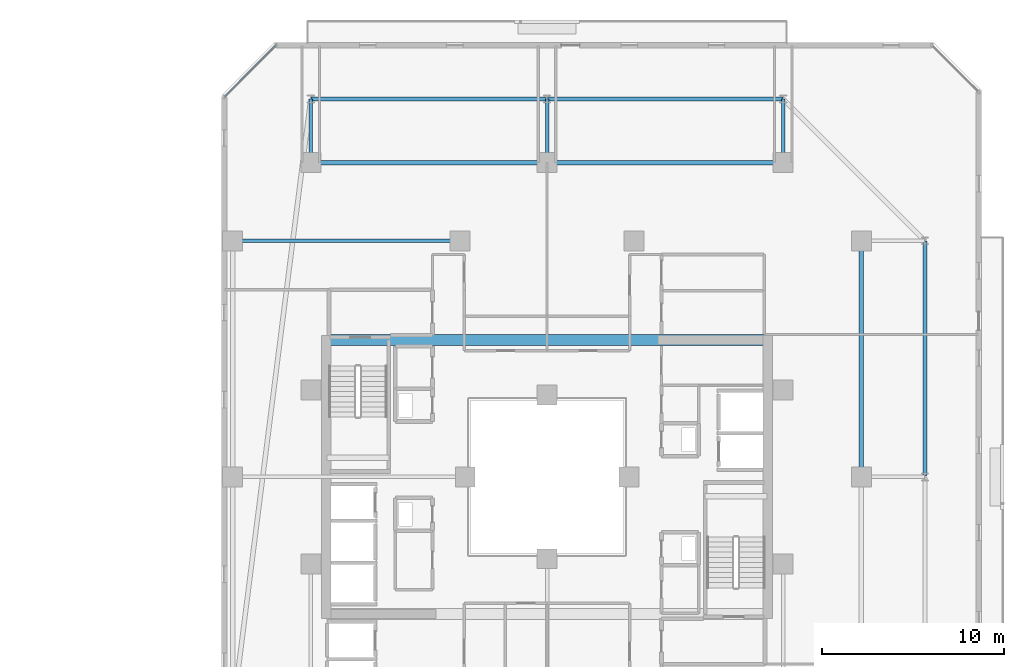
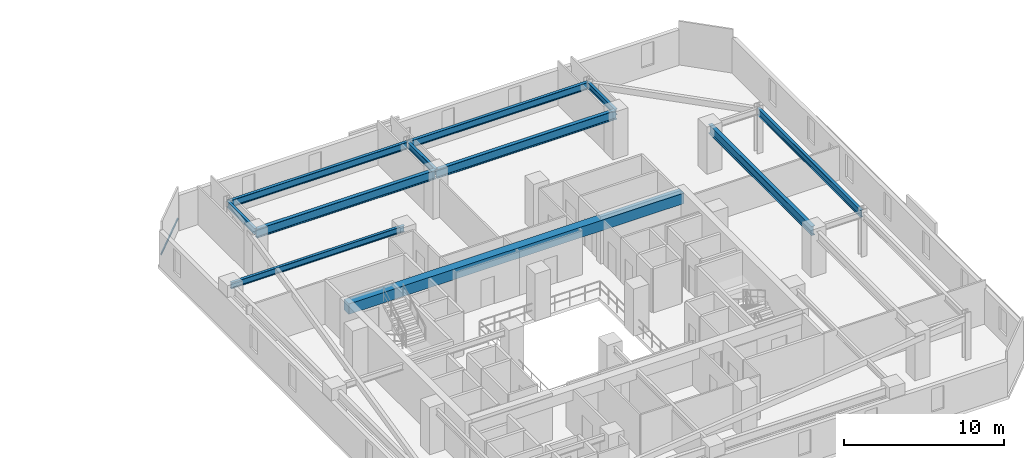
# One storey, part 15 of 33: 11 beams, 1 member, 1 element without a shape of its own.
"""IFC4 building model written with IfcOpenShell, lengths in metres."""

from ifc_helpers import new_model, si_unit, direction, frame, origin, origin_2d, place, context, subcontext, project, spatial, rectangle, hollow_rectangle, i_section, extrude, material, material_profile, profile_set, type_object, element, aggregate, save


model = new_model("IFC4")

# Units and contexts
model_context = context("Model", 3, precision=1e-05, world=origin(), true_north=direction((0.0, 1.0)))
body_context = subcontext(model_context, "Body", "Model", "MODEL_VIEW")
ifc_project = project(units=[si_unit("LENGTHUNIT", "METRE"), si_unit("AREAUNIT", "SQUARE_METRE"), si_unit("VOLUMEUNIT", "CUBIC_METRE"), si_unit("PLANEANGLEUNIT", "RADIAN"), si_unit("MASSUNIT", "GRAM", prefix="KILO")], contexts=[model_context])

# Site, building, storey
site_placement = place(None, origin())
site = spatial("IfcSite", under=ifc_project, at=site_placement, CompositionType="ELEMENT")
building_placement = place(site_placement, origin())
building = spatial("IfcBuilding", under=site, at=building_placement, Name="Thornwick Lancets Civic Towers", CompositionType="ELEMENT")
storey_placement = place(building_placement, frame((0.0, 0.0, 167.10009765625)))
storey = spatial("IfcBuildingStorey", under=building, at=storey_placement, Name="L44", CompositionType="ELEMENT", Elevation=167.10009765625)

# Beams
ifc_material_1 = material(Name="Concrete C60/75", Category="concrete")
ifc_material_profile_1 = material_profile(ifc_material_1, rectangle(XDim=0.60009765625, YDim=0.800048828125, at=origin_2d()), Name="RC 600x800")
ifc_profile_set_1 = profile_set([ifc_material_profile_1], Name="Concrete C60/75")
beam_type_1 = type_object("IfcBeamType", Name="BM_COUP_RC800", PredefinedType="BEAM", material=ifc_profile_set_1)
beam_1_placement = place(storey_placement, frame((76.39990234375, 34.550048828125, 2.9599609375), z_axis=(1.0, 0.0, 0.0), x_axis=(0.0, 1.0, 0.0)))
element("IfcBeam", 1, at=beam_1_placement, inside=storey, type_object=beam_type_1, Name="CB-L44-B1", PredefinedType="BEAM", context=body_context, shape_type="SweptSolid", body=[
    extrude(rectangle(XDim=0.60009765625, YDim=0.800048828125, at=origin_2d()), origin(), (0.0, 0.0, 1.0), 24.2001953125),
])
ifc_material_2 = material(Name="Steel S355JR", Category="steel")
ifc_material_profile_2 = material_profile(ifc_material_2, i_section(OverallWidth=0.210693359375, OverallDepth=0.53955078125, WebThickness=0.01171875, FlangeThickness=0.018798828125, FilletRadius=0.0126953125, at=origin_2d()), Name="UKB 533x210x109")
ifc_profile_set_2 = profile_set([ifc_material_profile_2], Name="Steel S355JR")
beam_type_2 = type_object("IfcBeamType", Name="BM_EDGE_533_109", PredefinedType="SPANDREL", material=ifc_profile_set_2)
beam_2_placement = place(storey_placement, frame((109.300048828125, 27.080078125, 3.090087890625), z_axis=(0.0, 1.0, 0.0), x_axis=(-1.0, 0.0, 0.0)))
element("IfcBeam", 2, at=beam_2_placement, inside=storey, type_object=beam_type_2, Name="BM-EDGE-L44-B-S0-2", PredefinedType="SPANDREL", context=body_context, shape_type="SweptSolid", body=[
    extrude(i_section(OverallWidth=0.210693359375, OverallDepth=0.53955078125, WebThickness=0.01171875, FlangeThickness=0.018798828125, FilletRadius=0.0126953125, at=origin_2d()), origin(), (0.0, 0.0, 1.0), 12.919921875),
])
beam_3_placement = place(storey_placement, frame((101.5, 47.800048828125, 3.090087890625), z_axis=(-1.0, 0.0, 0.0), x_axis=(0.0, -1.0, 0.0)))
element("IfcBeam", 3, at=beam_3_placement, inside=storey, type_object=beam_type_2, Name="BM-EDGE-L44-B-S1-1", PredefinedType="SPANDREL", context=body_context, shape_type="SweptSolid", body=[
    extrude(i_section(OverallWidth=0.210693359375, OverallDepth=0.53955078125, WebThickness=0.01171875, FlangeThickness=0.018798828125, FilletRadius=0.0126953125, at=origin_2d()), origin(), (0.0, 0.0, 1.0), 13.0),
])
beam_4_placement = place(storey_placement, frame((88.419921875, 47.800048828125, 3.090087890625), z_axis=(-1.0, 0.0, 0.0), x_axis=(0.0, -1.0, 0.0)))
element("IfcBeam", 4, at=beam_4_placement, inside=storey, type_object=beam_type_2, Name="BM-EDGE-L44-B-S1-2", PredefinedType="SPANDREL", context=body_context, shape_type="SweptSolid", body=[
    extrude(i_section(OverallWidth=0.210693359375, OverallDepth=0.53955078125, WebThickness=0.01171875, FlangeThickness=0.018798828125, FilletRadius=0.0126953125, at=origin_2d()), origin(), (0.0, 0.0, 1.0), 12.919921875),
])
ifc_material_profile_3 = material_profile(ifc_material_2, i_section(OverallWidth=0.255859375, OverallDepth=0.69287109375, WebThickness=0.014404296875, FlangeThickness=0.023681640625, FilletRadius=0.01513671875, at=origin_2d()), Name="UKB 686x254x170")
ifc_profile_set_3 = profile_set([ifc_material_profile_3], Name="Steel S355JR")
beam_type_3 = type_object("IfcBeamType", Name="BM_GIRD_686_170", PredefinedType="BEAM", material=ifc_profile_set_3)
beam_5_placement = place(storey_placement, frame((105.800048828125, 27.080078125, 3.013427734375), z_axis=(0.0, 1.0, 0.0), x_axis=(-1.0, 0.0, 0.0)))
element("IfcBeam", 5, at=beam_5_placement, inside=storey, type_object=beam_type_3, Name="BM-SPINE-L44-B-1-2", PredefinedType="BEAM", context=body_context, shape_type="SweptSolid", body=[
    extrude(i_section(OverallWidth=0.255859375, OverallDepth=0.69287109375, WebThickness=0.014404296875, FlangeThickness=0.023681640625, FilletRadius=0.01513671875, at=origin_2d()), origin(), (0.0, 0.0, 1.0), 12.919921875),
])
beam_6_placement = place(storey_placement, frame((101.5, 44.300048828125, 3.013427734375), z_axis=(-1.0, 0.0, 0.0), x_axis=(0.0, -1.0, 0.0)))
element("IfcBeam", 6, at=beam_6_placement, inside=storey, type_object=beam_type_3, Name="BM-SPINE-L44-B-3-4", PredefinedType="BEAM", context=body_context, shape_type="SweptSolid", body=[
    extrude(i_section(OverallWidth=0.255859375, OverallDepth=0.69287109375, WebThickness=0.014404296875, FlangeThickness=0.023681640625, FilletRadius=0.01513671875, at=origin_2d()), origin(), (0.0, 0.0, 1.0), 13.0),
])
beam_7_placement = place(storey_placement, frame((88.419921875, 44.300048828125, 3.013427734375), z_axis=(-1.0, 0.0, 0.0), x_axis=(0.0, -1.0, 0.0)))
element("IfcBeam", 7, at=beam_7_placement, inside=storey, type_object=beam_type_3, Name="BM-SPINE-L44-B-4-5", PredefinedType="BEAM", context=body_context, shape_type="SweptSolid", body=[
    extrude(i_section(OverallWidth=0.255859375, OverallDepth=0.69287109375, WebThickness=0.014404296875, FlangeThickness=0.023681640625, FilletRadius=0.01513671875, at=origin_2d()), origin(), (0.0, 0.0, 1.0), 12.919921875),
])
ifc_material_profile_4 = material_profile(ifc_material_2, i_section(OverallWidth=0.19189453125, OverallDepth=0.46337890625, WebThickness=0.010498046875, FlangeThickness=0.017578125, FilletRadius=0.01025390625, at=origin_2d()), Name="UKB 457x191x89")
ifc_profile_set_4 = profile_set([ifc_material_profile_4], Name="Steel S355JR")
beam_type_4 = type_object("IfcBeamType", Name="BM_JOIST_457_89", PredefinedType="JOIST", material=ifc_profile_set_4)
for number, where, z_axis, x_axis, name in (
    (8, (101.5, 44.300048828125, 3.128173828125), (0.0, 1.0, 0.0), (-1.0, 0.0, 0.0), "BM-RAD-L44-B04"),
    (9, (88.5, 44.300048828125, 3.128173828125), (0.0, 1.0, 0.0), (-1.0, 0.0, 0.0), "BM-RAD-L44-B05"),
    (10, (75.5, 44.300048828125, 3.128173828125), (0.0, 1.0, 0.0), (-1.0, 0.0, 0.0), "BM-RAD-L44-B06"),
):
    element("IfcBeam", number, at=place(storey_placement, frame(where, z_axis=z_axis, x_axis=x_axis)), inside=storey, type_object=beam_type_4, Name=name, PredefinedType="JOIST", context=body_context, shape_type="SweptSolid", body=[
        extrude(i_section(OverallWidth=0.19189453125, OverallDepth=0.46337890625, WebThickness=0.010498046875, FlangeThickness=0.017578125, FilletRadius=0.01025390625, at=origin_2d()), origin(), (0.0, 0.0, 1.0), 3.5),
    ])
beam_8_placement = place(storey_placement, frame((83.699951171875, 40.0, 3.128173828125), z_axis=(-1.0, 0.0, 0.0), x_axis=(0.0, -1.0, 0.0)))
element("IfcBeam", 11, at=beam_8_placement, inside=storey, type_object=beam_type_4, Name="BM-RADIN-L44-B09", PredefinedType="JOIST", context=body_context, shape_type="SweptSolid", body=[
    extrude(i_section(OverallWidth=0.19189453125, OverallDepth=0.46337890625, WebThickness=0.010498046875, FlangeThickness=0.017578125, FilletRadius=0.01025390625, at=origin_2d()), origin(), (0.0, 0.0, 1.0), 12.5),
])

# Curtain wall, member
ifc_material_3 = material(Name="Mid-zone chamfered-corner unitised glass curtain wall", Category="glass")
curtain_wall_type = type_object("IfcCurtainWallType", Name="CW_SYS_04", PredefinedType="NOTDEFINED", material=ifc_material_3)
curtain_wall_placement = place(storey_placement, origin())
curtain_wall = element("IfcCurtainWall", 12, at=curtain_wall_placement, inside=storey, type_object=curtain_wall_type, Name="L44 Curtain Wall CW-L44-B-E5", PredefinedType="NOTDEFINED")
ifc_material_4 = material(Name="Thermally broken bronze aluminium S355", Category="steel")
ifc_material_profile_5 = material_profile(ifc_material_4, hollow_rectangle(XDim=0.074951171875, YDim=0.14990234375, WallThickness=0.0048828125, at=origin_2d()), Name="RHS 150x75x5")
ifc_profile_set_5 = profile_set([ifc_material_profile_5], Name="Thermally broken bronze aluminium S355")
member_type = type_object("IfcMemberType", Name="CW_TRN_150", PredefinedType="USERDEFINED", material=ifc_profile_set_5)
member_placement = place(storey_placement, frame((73.58056640625, 50.74951171875, 0.849853515625), z_axis=(-0.707106781187, -0.707106781187, 0.0), x_axis=(0.707106781187, -0.707106781187, 0.0)))
member = element("IfcMember", 13, at=member_placement, type_object=member_type, Name="CW-L44-B-E5 Transom 0", ObjectType="TRANSOM", PredefinedType="USERDEFINED", context=body_context, shape_type="SweptSolid", body=[
    extrude(hollow_rectangle(XDim=0.074951171875, YDim=0.14990234375, WallThickness=0.0048828125, at=origin_2d()), origin(), (0.0, 0.0, 1.0), 4.00244140625),
])
aggregate(curtain_wall, [member])

save(model, "model.ifc")
